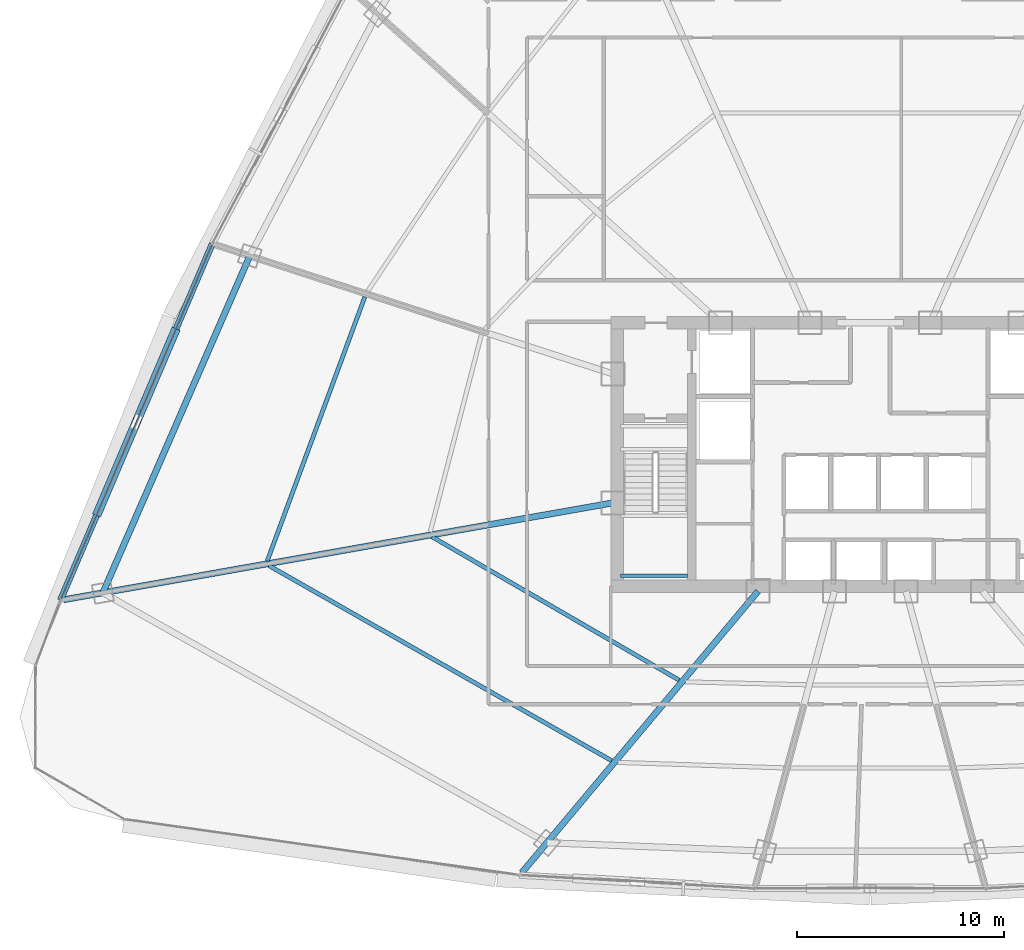
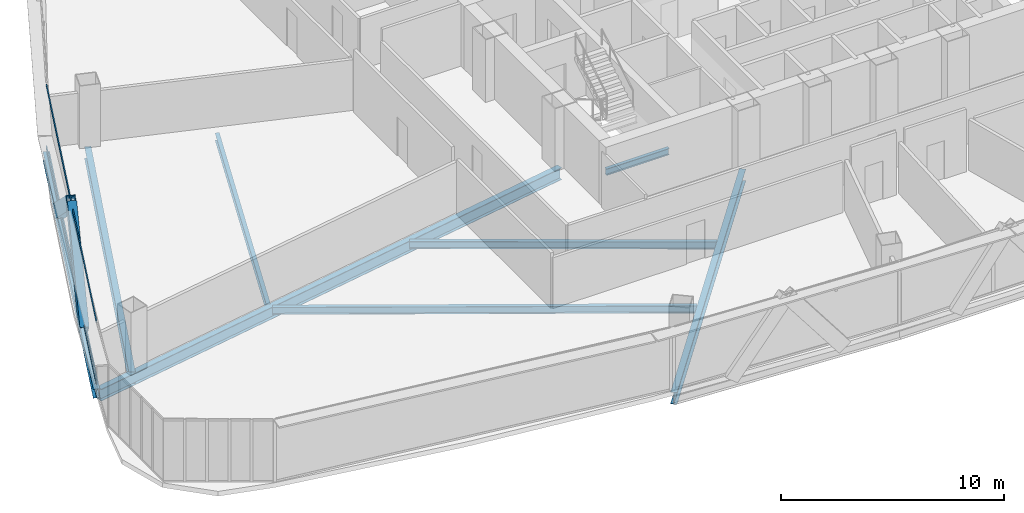
# One storey, part 7 of 42: 8 beams, 4 members, 1 element without a shape of its own.
"""IFC4 building model written with IfcOpenShell, lengths in metres."""

from ifc_helpers import new_model, si_unit, direction, frame, origin, origin_2d, place, context, subcontext, project, spatial, hollow_rectangle, i_section, extrude, source, transform, mapped, material, layer, layer_set, material_profile, profile_set, type_object, element, aggregate, save


model = new_model("IFC4")

# Units and contexts
model_context = context("Model", 3, precision=1e-05, world=origin(), true_north=direction((0.0, 1.0)))
body_context = subcontext(model_context, "Body", "Model", "MODEL_VIEW")
ifc_project = project(units=[si_unit("LENGTHUNIT", "METRE"), si_unit("AREAUNIT", "SQUARE_METRE"), si_unit("VOLUMEUNIT", "CUBIC_METRE"), si_unit("PLANEANGLEUNIT", "RADIAN"), si_unit("MASSUNIT", "GRAM", prefix="KILO"), si_unit("THERMODYNAMICTEMPERATUREUNIT", "KELVIN"), si_unit("POWERUNIT", "WATT")], contexts=[model_context])

# Site, building, storey
site_placement = place(None, origin())
site = spatial("IfcSite", under=ifc_project, at=site_placement, CompositionType="ELEMENT")
building_placement = place(site_placement, origin())
building = spatial("IfcBuilding", under=site, at=building_placement, Name="Yunzhuo Pagoda Commons", CompositionType="ELEMENT")
storey_placement = place(building_placement, frame((0.0, 0.0, 133.510009765625)))
storey = spatial("IfcBuildingStorey", under=building, at=storey_placement, Name="L33", CompositionType="ELEMENT", Elevation=133.510009765625)

# Beams
ifc_material_1 = material(Name="Structural steel Q355B", Category="steel")
ifc_material_profile_1 = material_profile(ifc_material_1, i_section(OverallWidth=0.175048828125, OverallDepth=0.35009765625, WebThickness=0.007080078125, FlangeThickness=0.010986328125, at=origin_2d()), Name="Structural steel Q355B")
ifc_profile_set_1 = profile_set([ifc_material_profile_1], Name="Structural steel Q355B")
beam_type_1 = type_object("IfcBeamType", Name="B-JS2 Joist HN 350x175x7x11", PredefinedType="JOIST", material=ifc_profile_set_1)
shared_shape_1 = source(origin(), body_context, "Body", "SweptSolid", [
    extrude(i_section(OverallWidth=0.175048828125, OverallDepth=0.35009765625, WebThickness=0.007080078125, FlangeThickness=0.010986328125, at=origin_2d()), origin(), (0.0, 0.0, 1.0), 3.25),
])
beam_1_placement = place(storey_placement, frame((35.949951171875, 28.0, 1.465087890625), z_axis=(1.0, 0.0, 0.0), x_axis=(0.0, 1.0, 0.0)))
element("IfcBeam", 1, at=beam_1_placement, inside=storey, type_object=beam_type_1, Name="L33 ST1 landing support beam 39A", PredefinedType="JOIST", context=body_context, shape_type="MappedRepresentation", body=[
    mapped(shared_shape_1, transform((0.0, 0.0, 0.0), scale=1.0)),
])
ifc_material_profile_2 = material_profile(ifc_material_1, i_section(OverallWidth=0.300048828125, OverallDepth=0.488037109375, WebThickness=0.010986328125, FlangeThickness=0.01806640625, at=origin_2d()), Name="Structural steel Q355B")
ifc_profile_set_2 = profile_set([ifc_material_profile_2], Name="Structural steel Q355B")
beam_type_2 = type_object("IfcBeamType", Name="B-SP1 Beam HM 488x300x11x18", PredefinedType="BEAM", material=ifc_profile_set_2)
shared_shape_2 = source(origin(), body_context, "Body", "SweptSolid", [
    extrude(i_section(OverallWidth=0.300048828125, OverallDepth=0.488037109375, WebThickness=0.010986328125, FlangeThickness=0.01806640625, at=origin_2d()), origin(), (0.0, 0.0, 1.0), 18.688232421875),
])
beam_2_placement = place(storey_placement, frame((16.279541015625, 44.006591796875, -0.503662109375), z_axis=(-0.392084847938, -0.919929058144, 0.0), x_axis=(0.919929058144, -0.392084847938, 0.0)))
element("IfcBeam", 2, at=beam_2_placement, inside=storey, type_object=beam_type_2, Name="L33 facade edge spandrel beam F3.3", PredefinedType="BEAM", context=body_context, shape_type="MappedRepresentation", body=[
    mapped(shared_shape_2, transform((0.0, 0.0, 0.0), scale=1.0)),
])
ifc_material_profile_3 = material_profile(ifc_material_1, i_section(OverallWidth=0.300048828125, OverallDepth=0.64990234375, WebThickness=0.012939453125, FlangeThickness=0.02197265625, at=origin_2d()), Name="Structural steel Q355B")
ifc_profile_set_3 = profile_set([ifc_material_profile_3], Name="Structural steel Q355B")
beam_type_3 = type_object("IfcBeamType", Name="B-RG2 Beam HN 650x300x13x22", PredefinedType="BEAM", material=ifc_profile_set_3)
shared_shape_3 = source(origin(), body_context, "Body", "SweptSolid", [
    extrude(i_section(OverallWidth=0.300048828125, OverallDepth=0.64990234375, WebThickness=0.012939453125, FlangeThickness=0.02197265625, at=origin_2d()), origin(), (0.0, 0.0, 1.0), 17.714111328125),
])
beam_3_placement = place(storey_placement, frame((31.201416015625, 13.68017578125, -0.5849609375), z_axis=(0.6427889385, 0.76604332811, 0.0), x_axis=(-0.76604332811, 0.6427889385, 0.0)))
element("IfcBeam", 3, at=beam_3_placement, inside=storey, type_object=beam_type_3, Name="L33 radial floor girder F1C1", PredefinedType="BEAM", context=body_context, shape_type="MappedRepresentation", body=[
    mapped(shared_shape_3, transform((0.0, 0.0, 0.0), scale=1.0)),
])
shared_shape_4 = source(origin(), body_context, "Body", "SweptSolid", [
    extrude(i_section(OverallWidth=0.300048828125, OverallDepth=0.64990234375, WebThickness=0.012939453125, FlangeThickness=0.02197265625, at=origin_2d()), origin(), (0.0, 0.0, 1.0), 26.904052734375),
])
beam_4_placement = place(storey_placement, frame((9.104736328125, 26.841796875, -0.5849609375), z_axis=(0.984809127253, 0.173640383782, 0.0), x_axis=(-0.173640383782, 0.984809127253, 0.0)))
element("IfcBeam", 4, at=beam_4_placement, inside=storey, type_object=beam_type_3, Name="L33 radial floor girder F3C4", PredefinedType="BEAM", context=body_context, shape_type="MappedRepresentation", body=[
    mapped(shared_shape_4, transform((0.0, 0.0, 0.0), scale=1.0)),
])
ifc_material_profile_4 = material_profile(ifc_material_1, i_section(OverallWidth=0.199951171875, OverallDepth=0.39990234375, WebThickness=0.008056640625, FlangeThickness=0.012939453125, at=origin_2d()), Name="Structural steel Q355B")
ifc_profile_set_4 = profile_set([ifc_material_profile_4], Name="Structural steel Q355B")
beam_type_4 = type_object("IfcBeamType", Name="B-JS1 Joist HN 400x200x8x13", PredefinedType="JOIST", material=ifc_profile_set_4)
shared_shape_5 = source(origin(), body_context, "Body", "SweptSolid", [
    extrude(i_section(OverallWidth=0.199951171875, OverallDepth=0.39990234375, WebThickness=0.008056640625, FlangeThickness=0.012939453125, at=origin_2d()), origin(), (0.0, 0.0, 1.0), 13.76416015625),
])
beam_5_placement = place(storey_placement, frame((26.882568359375, 29.87255859375, -0.4599609375), z_axis=(0.864967288101, -0.501828248025, 0.0), x_axis=(0.501828248025, 0.864967288101, 0.0)))
element("IfcBeam", 5, at=beam_5_placement, inside=storey, type_object=beam_type_4, Name="L33 composite ring joist 1.12", PredefinedType="JOIST", context=body_context, shape_type="MappedRepresentation", body=[
    mapped(shared_shape_5, transform((0.0, 0.0, 0.0), scale=1.0)),
])
shared_shape_6 = source(origin(), body_context, "Body", "SweptSolid", [
    extrude(i_section(OverallWidth=0.199951171875, OverallDepth=0.39990234375, WebThickness=0.008056640625, FlangeThickness=0.012939453125, at=origin_2d()), origin(), (0.0, 0.0, 1.0), 19.007568359375),
])
beam_6_placement = place(storey_placement, frame((19.01220703125, 28.485595703125, -0.4599609375), z_axis=(0.869119947472, -0.494601371718, 0.0), x_axis=(0.494601371718, 0.869119947472, 0.0)))
element("IfcBeam", 6, at=beam_6_placement, inside=storey, type_object=beam_type_4, Name="L33 composite ring joist 2.12", PredefinedType="JOIST", context=body_context, shape_type="MappedRepresentation", body=[
    mapped(shared_shape_6, transform((0.0, 0.0, 0.0), scale=1.0)),
])
shared_shape_7 = source(origin(), body_context, "Body", "SweptSolid", [
    extrude(i_section(OverallWidth=0.300048828125, OverallDepth=0.64990234375, WebThickness=0.012939453125, FlangeThickness=0.02197265625, at=origin_2d()), origin(), (0.0, 0.0, 1.0), 17.72021484375),
])
beam_7_placement = place(storey_placement, frame((18.084716796875, 43.420166015625, -0.5849609375), z_axis=(-0.399643307961, -0.916670729544, 0.0), x_axis=(0.916670729544, -0.399643307961, 0.0)))
element("IfcBeam", 7, at=beam_7_placement, inside=storey, type_object=beam_type_3, Name="L33 column-ring beam 11", PredefinedType="BEAM", context=body_context, shape_type="MappedRepresentation", body=[
    mapped(shared_shape_7, transform((0.0, 0.0, 0.0), scale=1.0)),
])
shared_shape_8 = source(origin(), body_context, "Body", "SweptSolid", [
    extrude(i_section(OverallWidth=0.199951171875, OverallDepth=0.39990234375, WebThickness=0.008056640625, FlangeThickness=0.012939453125, at=origin_2d()), origin(), (0.0, 0.0, 1.0), 13.577880859375),
])
beam_8_placement = place(storey_placement, frame((23.634765625, 41.44970703125, -0.4599609375), z_axis=(-0.3465634723, -0.938026523968, 0.0), x_axis=(0.938026523968, -0.3465634723, 0.0)))
element("IfcBeam", 8, at=beam_8_placement, inside=storey, type_object=beam_type_4, Name="L33 composite ring joist 2.11", PredefinedType="JOIST", context=body_context, shape_type="MappedRepresentation", body=[
    mapped(shared_shape_8, transform((0.0, 0.0, 0.0), scale=1.0)),
])

# Members
ifc_material_2 = material(Name="Structural steel Q420B", Category="steel")
ifc_material_profile_5 = material_profile(ifc_material_2, hollow_rectangle(XDim=0.419921875, YDim=0.719970703125, WallThickness=0.028076171875, at=origin_2d()), Name="Structural steel Q420B")
ifc_profile_set_5 = profile_set([ifc_material_profile_5], Name="Structural steel Q420B")
member_type_1 = type_object("IfcMemberType", Name="M-DL1 Brace BOX 720x420x28", PredefinedType="BRACE", material=ifc_profile_set_5)
shared_shape_9 = source(origin(), body_context, "Body", "SweptSolid", [
    extrude(hollow_rectangle(XDim=0.419921875, YDim=0.719970703125, WallThickness=0.028076171875, at=origin_2d()), origin(), (0.0, 0.0, 1.0), 5.947265625),
])
member_1_placement = place(storey_placement, frame((10.7841796875, 31.11279296875, -0.260009765625), z_axis=(0.307963419029, 0.722700078912, 0.618759346177), x_axis=(-0.919956632519, 0.392020145252, 0.0)))
element("IfcMember", 9, at=member_1_placement, inside=storey, type_object=member_type_1, Name="L33 facade diamond brace F3.3R", PredefinedType="BRACE", context=body_context, shape_type="MappedRepresentation", body=[
    mapped(shared_shape_9, transform((0.0, 0.0, 0.0), scale=1.0)),
])
shared_shape_10 = source(origin(), body_context, "Body", "SweptSolid", [
    extrude(hollow_rectangle(XDim=0.419921875, YDim=0.719970703125, WallThickness=0.028076171875, at=origin_2d()), origin(), (0.0, 0.0, 1.0), 5.947021484375),
])
member_2_placement = place(storey_placement, frame((14.447509765625, 39.70849609375, -0.260009765625), z_axis=(-0.308018851152, -0.722651717557, 0.61878823716), x_axis=(0.919921719553, -0.39210206566, 0.0)))
element("IfcMember", 10, at=member_2_placement, inside=storey, type_object=member_type_1, Name="L33 facade diamond brace F3.3L", PredefinedType="BRACE", context=body_context, shape_type="MappedRepresentation", body=[
    mapped(shared_shape_10, transform((0.0, 0.0, 0.0), scale=1.0)),
])

# Curtain wall, members
ifc_material_3 = material(Name="Anodized aluminium 6063-T6", Category="aluminium")
ifc_layer = layer(ifc_material_3, 0.14990234375)
ifc_layer_set = layer_set([ifc_layer], Name="Anodized aluminium 6063-T6")
curtain_wall_type = type_object("IfcCurtainWallType", Name="CW-MID Mid-Zone Ribbon Curtain Wall", PredefinedType="NOTDEFINED", material=ifc_layer_set)
curtain_wall_placement = place(storey_placement, origin())
curtain_wall = element("IfcCurtainWall", 11, at=curtain_wall_placement, inside=storey, type_object=curtain_wall_type, Name="L33 curtain wall CW-L33-F3B4", PredefinedType="NOTDEFINED")
ifc_material_profile_6 = material_profile(ifc_material_3, hollow_rectangle(XDim=0.054931640625, YDim=0.1298828125, WallThickness=0.00341796875, at=origin_2d()), Name="Anodized aluminium 6063-T6")
ifc_profile_set_6 = profile_set([ifc_material_profile_6], Name="Anodized aluminium 6063-T6")
member_type_2 = type_object("IfcMemberType", Name="CW-MID-T Transom RHS 130x55x3.5", PredefinedType="USERDEFINED", material=ifc_profile_set_6)
shared_shape_11 = source(origin(), body_context, "Body", "SweptSolid", [
    extrude(hollow_rectangle(XDim=0.054931640625, YDim=0.1298828125, WallThickness=0.00341796875, at=origin_2d()), origin(), (0.0, 0.0, 1.0), 18.568115234375),
])
member_3_placement = place(storey_placement, frame((16.255859375, 43.951416015625, 0.027587890625), z_axis=(-0.392085671986, -0.919928706924, 0.0), x_axis=(0.919928706924, -0.392085671986, 0.0)))
member_3 = element("IfcMember", 12, at=member_3_placement, type_object=member_type_2, Name="CW transom 1.1", ObjectType="TRANSOM", PredefinedType="USERDEFINED", context=body_context, shape_type="MappedRepresentation", body=[
    mapped(shared_shape_11, transform((0.0, 0.0, 0.0), scale=1.0)),
])
member_4_placement = place(storey_placement, frame((16.255859375, 43.951416015625, 3.392578125), z_axis=(-0.392085671986, -0.919928706924, 0.0), x_axis=(0.919928706924, -0.392085671986, 0.0)))
member_4 = element("IfcMember", 13, at=member_4_placement, type_object=member_type_2, Name="CW transom 1.2", ObjectType="TRANSOM", PredefinedType="USERDEFINED", context=body_context, shape_type="MappedRepresentation", body=[
    mapped(shared_shape_11, transform((0.0, 0.0, 0.0), scale=1.0)),
])
aggregate(curtain_wall, [member_3, member_4])

save(model, "model.ifc")
